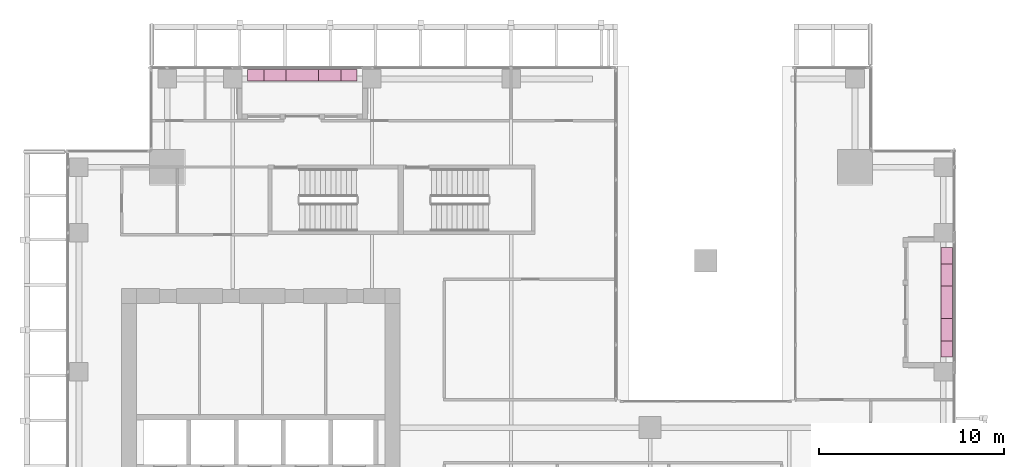
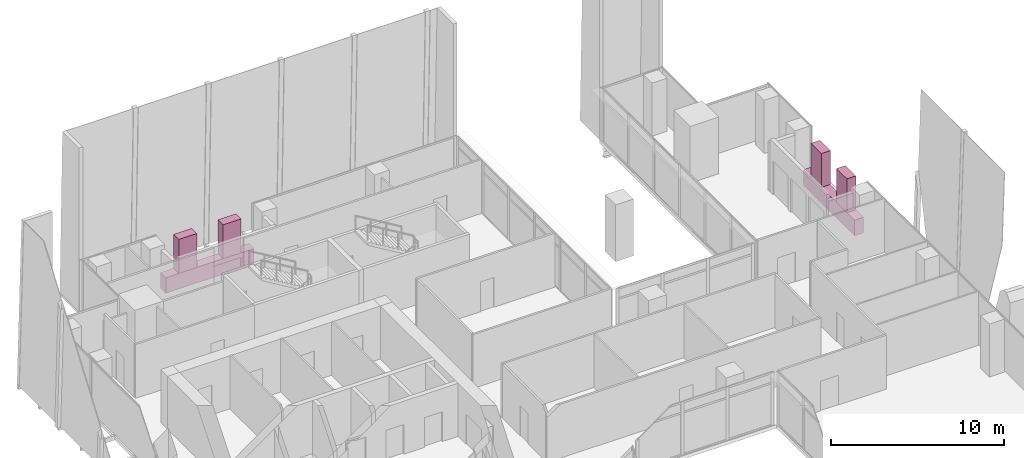
# One storey, part 40 of 40: 6 furnishings.
"""IFC4 building model written with IfcOpenShell, lengths in metres."""

import ifcopenshell
import ifcopenshell.guid

model = None  # the IFC model being written
_history = None  # IfcOwnerHistory: only IFC2X3 demands one
_inside = {}  # id of a spatial element -> (the spatial element, [elements in it])
_under = {}  # id of a project, library or spatial element -> (it, [spatial elements below it])
_declared = {}  # id of a project -> (the project, [libraries it declares])
_typed = {}  # id of a type object -> (the type object, [elements of that type])
_made_of = {}  # id of a material, layer set ... -> (it, [elements and type objects made of it])


def new_model(schema):
    """Start an empty IFC model of exactly this schema.

    Asked for "IFC4X3", IfcOpenShell would pick the latest addendum, in which some entities
    have other attributes; the version numbers below select the first issue.
    IFC2X3 requires an IfcOwnerHistory on every rooted entity: one is made here for all.
    """
    global model, _history
    if schema == "IFC4X3":
        model = ifcopenshell.file(schema_version=(4, 3, 0, 0))
    else:
        model = ifcopenshell.file(schema=schema)
    _inside.clear()
    _under.clear()
    _declared.clear()
    _typed.clear()
    _made_of.clear()
    _history = None
    if model.schema == "IFC2X3":
        org = make("IfcOrganization", Name="unknown")
        user = make(
            "IfcPersonAndOrganization",
            ThePerson=make("IfcPerson", FamilyName="unknown"),
            TheOrganization=org,
        )
        app = make(
            "IfcApplication",
            ApplicationDeveloper=org,
            Version="unknown",
            ApplicationFullName="unknown",
            ApplicationIdentifier="unknown",
        )
        _history = make(
            "IfcOwnerHistory",
            OwningUser=user,
            OwningApplication=app,
            ChangeAction="ADDED",
            CreationDate=0,
        )
    return model


def make(cls, **values):
    """One entity of the class cls with the attributes given. An attribute that is None is left unset."""
    return model.create_entity(
        cls, **{name: value for name, value in values.items() if value is not None}
    )


def rooted(cls, **values):
    """An entity with a GlobalId (a new one), such as an element, a storey or a relation."""
    return make(cls, GlobalId=ifcopenshell.guid.new(), OwnerHistory=_history, **values)


def si_unit(unit_type, name, prefix=None):
    """IfcSIUnit, for example si_unit("LENGTHUNIT", "METRE", prefix="MILLI")."""
    return make("IfcSIUnit", UnitType=unit_type, Prefix=prefix, Name=name)


def assignment(units):
    """IfcUnitAssignment: the units of a project."""
    return None if units is None else make("IfcUnitAssignment", Units=units)


def point(xyz):
    """IfcCartesianPoint."""
    return None if xyz is None else make("IfcCartesianPoint", Coordinates=xyz)


def direction(xyz):
    """IfcDirection."""
    return None if xyz is None else make("IfcDirection", DirectionRatios=xyz)


def frame(location, z_axis=None, x_axis=None):
    """IfcAxis2Placement3D, a coordinate frame: its origin and axes. An axis left out is left unset."""
    return make(
        "IfcAxis2Placement3D",
        Location=point(location),
        Axis=direction(z_axis),
        RefDirection=direction(x_axis),
    )


def frame_2d(location, x_axis=None):
    """IfcAxis2Placement2D, a coordinate frame in the plane: its origin and x axis."""
    return make(
        "IfcAxis2Placement2D", Location=point(location), RefDirection=direction(x_axis)
    )


def origin():
    """The frame at (0, 0, 0) with its axes left unset."""
    return frame((0.0, 0.0, 0.0))


def origin_2d():
    """The frame at (0, 0) in the plane with its x axis left unset."""
    return frame_2d((0.0, 0.0))


def place(relative_to, where):
    """IfcLocalPlacement: puts the frame where relative to a parent placement (None: the world)."""
    return make(
        "IfcLocalPlacement", PlacementRelTo=relative_to, RelativePlacement=where
    )


def context(
    kind, dimensions, precision=None, world=None, true_north=None, identifier=None
):
    """IfcGeometricRepresentationContext, for example the 3D "Model" context."""
    return make(
        "IfcGeometricRepresentationContext",
        ContextIdentifier=identifier,
        ContextType=kind,
        CoordinateSpaceDimension=dimensions,
        Precision=precision,
        WorldCoordinateSystem=world,
        TrueNorth=true_north,
    )


def subcontext(parent, identifier, kind, view, scale=None):
    """IfcGeometricRepresentationSubContext, for example "Body" below "Model"."""
    return make(
        "IfcGeometricRepresentationSubContext",
        ContextIdentifier=identifier,
        ContextType=kind,
        ParentContext=parent,
        TargetScale=scale,
        TargetView=view,
    )


def project(units=None, contexts=None):
    """IfcProject with its units and contexts."""
    return rooted(
        "IfcProject",
        Name="project",
        RepresentationContexts=contexts,
        UnitsInContext=assignment(units),
    )


def spatial(cls, under=None, at=None, **own):
    """A site, building, storey or space (cls), placed at a placement, below another one or the project."""
    s = rooted(cls, ObjectPlacement=at, **own)
    if under is not None:
        _under.setdefault(under.id(), (under, []))[1].append(s)
    return s


def profile(cls, at=None, kind="AREA", **sizes):
    """A parametric profile (cls). Its sizes go by their IFC names, for example OverallWidth=200.0."""
    return make(cls, ProfileType=kind, Position=at, **sizes)


def rectangle(**sizes):
    """IfcRectangleProfileDef."""
    return profile("IfcRectangleProfileDef", **sizes)


def extrude(swept, where, along, depth):
    """IfcExtrudedAreaSolid: the profile swept, set in the frame where, extruded along a direction by depth."""
    return make(
        "IfcExtrudedAreaSolid",
        SweptArea=swept,
        Position=where,
        ExtrudedDirection=direction(along),
        Depth=depth,
    )


def shape(context_of_items, identifier, shape_type, items):
    """IfcShapeRepresentation: the items that make up one representation, for example the "Body"."""
    return make(
        "IfcShapeRepresentation",
        ContextOfItems=context_of_items,
        RepresentationIdentifier=identifier,
        RepresentationType=shape_type,
        Items=items,
    )


def source(mapping_origin, context_of_items, identifier, shape_type, items):
    """IfcRepresentationMap: a shape defined once, which mapped items show again and again."""
    return make(
        "IfcRepresentationMap",
        MappingOrigin=mapping_origin,
        MappedRepresentation=shape(context_of_items, identifier, shape_type, items),
    )


def transform(
    local_origin,
    x_axis=None,
    y_axis=None,
    z_axis=None,
    scale=None,
    scale2=None,
    scale3=None,
    uniform=True,
):
    """IfcCartesianTransformationOperator3D, or its non-uniform kind. x_axis, y_axis, z_axis: its Axis1, 2, 3."""
    if uniform:
        return make(
            "IfcCartesianTransformationOperator3D",
            Axis1=direction(x_axis),
            Axis2=direction(y_axis),
            LocalOrigin=point(local_origin),
            Scale=scale,
            Axis3=direction(z_axis),
        )
    return make(
        "IfcCartesianTransformationOperator3DnonUniform",
        Axis1=direction(x_axis),
        Axis2=direction(y_axis),
        LocalOrigin=point(local_origin),
        Scale=scale,
        Axis3=direction(z_axis),
        Scale2=scale2,
        Scale3=scale3,
    )


def mapped(mapping_source, mapping_target):
    """IfcMappedItem: shows the shape of a source again, moved by a transform."""
    return make(
        "IfcMappedItem", MappingSource=mapping_source, MappingTarget=mapping_target
    )


def material(Name=None, Category=None):
    """IfcMaterial."""
    return make("IfcMaterial", Name=Name, Category=Category)


def made_of(thing, what):
    """Note that an element or type object is made of a material, layer set ...; save() writes the relation."""
    if what is not None:
        _made_of.setdefault(what.id(), (what, []))[1].append(thing)
    return thing


def type_object(cls, material=None, **own):
    """A type object (cls), such as IfcWallType, which elements share."""
    return made_of(rooted(cls, **own), material)


def element(
    cls,
    number,
    at=None,
    inside=None,
    cuts=None,
    type_object=None,
    material=None,
    context=None,
    identifier="Body",
    shape_type=None,
    held_by="IfcProductDefinitionShape",
    body=None,
    shapes=None,
    **own,
):
    """One element of the class cls, such as IfcWall. Its Tag is "e" and its number.

    at: its placement. inside: the storey or other place that contains it. cuts: it is an
    opening in that element (IfcRelVoidsElement). A single representation is given by context,
    identifier, shape_type and body (its items); several are given by shapes. held_by: the class
    of the entity that holds the representations. save() writes the other relations.
    """
    e = rooted(cls, Tag="e%d" % number, ObjectPlacement=at, **own)
    if body is not None:
        shapes = [shape(context, identifier, shape_type, body)]
    if shapes is not None:
        e.Representation = make(held_by, Representations=shapes)
    if inside is not None:
        _inside.setdefault(inside.id(), (inside, []))[1].append(e)
    if cuts is not None:
        rooted(
            "IfcRelVoidsElement", RelatingBuildingElement=cuts, RelatedOpeningElement=e
        )
    if type_object is not None:
        _typed.setdefault(type_object.id(), (type_object, []))[1].append(e)
    return made_of(e, material)


def aggregate(whole, parts):
    """IfcRelAggregates: a whole, such as a stair, and the parts it consists of."""
    return rooted("IfcRelAggregates", RelatingObject=whole, RelatedObjects=parts)


def save(model, path):
    """Write the relations noted so far, then the file.

    IfcRelAggregates (storeys below a building ...), IfcRelContainedInSpatialStructure (elements
    in a storey), IfcRelDefinesByType, IfcRelAssociatesMaterial and IfcRelDeclares: one each for
    every whole, place, type object, material and project.
    """
    for whole, parts in _under.values():
        aggregate(whole, parts)
    for where, things in _inside.values():
        rooted(
            "IfcRelContainedInSpatialStructure",
            RelatedElements=things,
            RelatingStructure=where,
        )
    for kind, things in _typed.values():
        rooted("IfcRelDefinesByType", RelatedObjects=things, RelatingType=kind)
    for what, things in _made_of.values():
        rooted("IfcRelAssociatesMaterial", RelatedObjects=things, RelatingMaterial=what)
    for by, libraries in _declared.values():
        rooted("IfcRelDeclares", RelatingContext=by, RelatedDefinitions=libraries)
    model.write(path)


model = new_model("IFC4")

# Units and contexts
model_context = context("Model", 3, precision=1e-05, world=origin(), true_north=direction((0.0, 1.0)))
body_context = subcontext(model_context, "Body", "Model", "MODEL_VIEW")
ifc_project = project(units=[si_unit("LENGTHUNIT", "METRE"), si_unit("AREAUNIT", "SQUARE_METRE"), si_unit("VOLUMEUNIT", "CUBIC_METRE"), si_unit("PLANEANGLEUNIT", "RADIAN"), si_unit("MASSUNIT", "GRAM", prefix="KILO")], contexts=[model_context])

# Site, building, storey
site_placement = place(None, origin())
site = spatial("IfcSite", under=ifc_project, at=site_placement, CompositionType="ELEMENT")
building_placement = place(site_placement, origin())
building = spatial("IfcBuilding", under=site, at=building_placement, Name="Khomas Fold Tower", CompositionType="ELEMENT")
storey_placement = place(building_placement, frame((0.0, 0.0, 176.699951171875)))
storey = spatial("IfcBuildingStorey", under=building, at=storey_placement, Name="L38", CompositionType="ELEMENT", Elevation=176.699951171875)

# Furnishings
ifc_material_1 = material(Name="Precast concrete C40/50", Category="concrete")
furnishing_element_type_1 = type_object("IfcFurnishingElementType", Name="BL-Structural planter box", material=ifc_material_1)
shared_shape_1 = source(origin(), body_context, "Body", "SweptSolid", [
    extrude(rectangle(XDim=5.89990234375, YDim=0.60009765625, at=origin_2d()), origin(), (0.0, 0.0, 1.0), 1.10009765625),
])
for number, where, z_axis, x_axis, name in (
    (1, (50.5, 38.25, -0.044921875), (0.0, 0.0, 1.0), (0.0, 1.0, 0.0), "PLANTER BAL-L38-E4"),
    (2, (15.75, 50.5, -0.044921875), (0.0, 0.0, 1.0), (1.0, 0.0, 0.0), "PLANTER BAL-L38-N1"),
):
    element("IfcFurnishingElement", number, at=place(storey_placement, frame(where, z_axis=z_axis, x_axis=x_axis)), inside=storey, type_object=furnishing_element_type_1, Name=name, context=body_context, shape_type="MappedRepresentation", body=[
        mapped(shared_shape_1, transform((0.0, 0.0, 0.0))),
    ])
ifc_material_2 = material(Name="Planting")
furnishing_element_type_2 = type_object("IfcFurnishingElementType", Name="BL-Tree Karee", material=ifc_material_2)
shared_shape_2 = source(origin(), body_context, "Body", "SweptSolid", [
    extrude(rectangle(XDim=1.199951171875, YDim=0.60009765625, at=origin_2d()), origin(), (0.0, 0.0, 1.0), 2.39501953125),
])
furnishing_1_placement = place(storey_placement, frame((50.5, 36.77490234375, 1.054931640625), z_axis=(0.0, 0.0, 1.0), x_axis=(0.0, 1.0, 0.0)))
element("IfcFurnishingElement", 3, at=furnishing_1_placement, inside=storey, type_object=furnishing_element_type_2, Name="PLANTER (TREE) Karee BAL-L38-E4-1", context=body_context, shape_type="MappedRepresentation", body=[
    mapped(shared_shape_2, transform((0.0, 0.0, 0.0))),
])
ifc_material_3 = material(Name="Planting")
furnishing_element_type_3 = type_object("IfcFurnishingElementType", Name="BL-Tree Wild olive", material=ifc_material_3)
furnishing_2_placement = place(storey_placement, frame((50.5, 39.72509765625, 1.054931640625), z_axis=(0.0, 0.0, 1.0), x_axis=(0.0, 1.0, 0.0)))
element("IfcFurnishingElement", 4, at=furnishing_2_placement, inside=storey, type_object=furnishing_element_type_3, Name="PLANTER (TREE) Wild olive BAL-L38-E4-2", context=body_context, shape_type="MappedRepresentation", body=[
    mapped(shared_shape_2, transform((0.0, 0.0, 0.0))),
])
furnishing_3_placement = place(storey_placement, frame((14.27490234375, 50.5, 1.054931640625), z_axis=(0.0, 0.0, 1.0), x_axis=(1.0, 0.0, 0.0)))
element("IfcFurnishingElement", 5, at=furnishing_3_placement, inside=storey, type_object=furnishing_element_type_2, Name="PLANTER (TREE) Karee BAL-L38-N1-1", context=body_context, shape_type="MappedRepresentation", body=[
    mapped(shared_shape_2, transform((0.0, 0.0, 0.0))),
])
furnishing_4_placement = place(storey_placement, frame((17.22509765625, 50.5, 1.054931640625), z_axis=(0.0, 0.0, 1.0), x_axis=(1.0, 0.0, 0.0)))
element("IfcFurnishingElement", 6, at=furnishing_4_placement, inside=storey, type_object=furnishing_element_type_3, Name="PLANTER (TREE) Wild olive BAL-L38-N1-2", context=body_context, shape_type="MappedRepresentation", body=[
    mapped(shared_shape_2, transform((0.0, 0.0, 0.0))),
])

save(model, "model.ifc")
